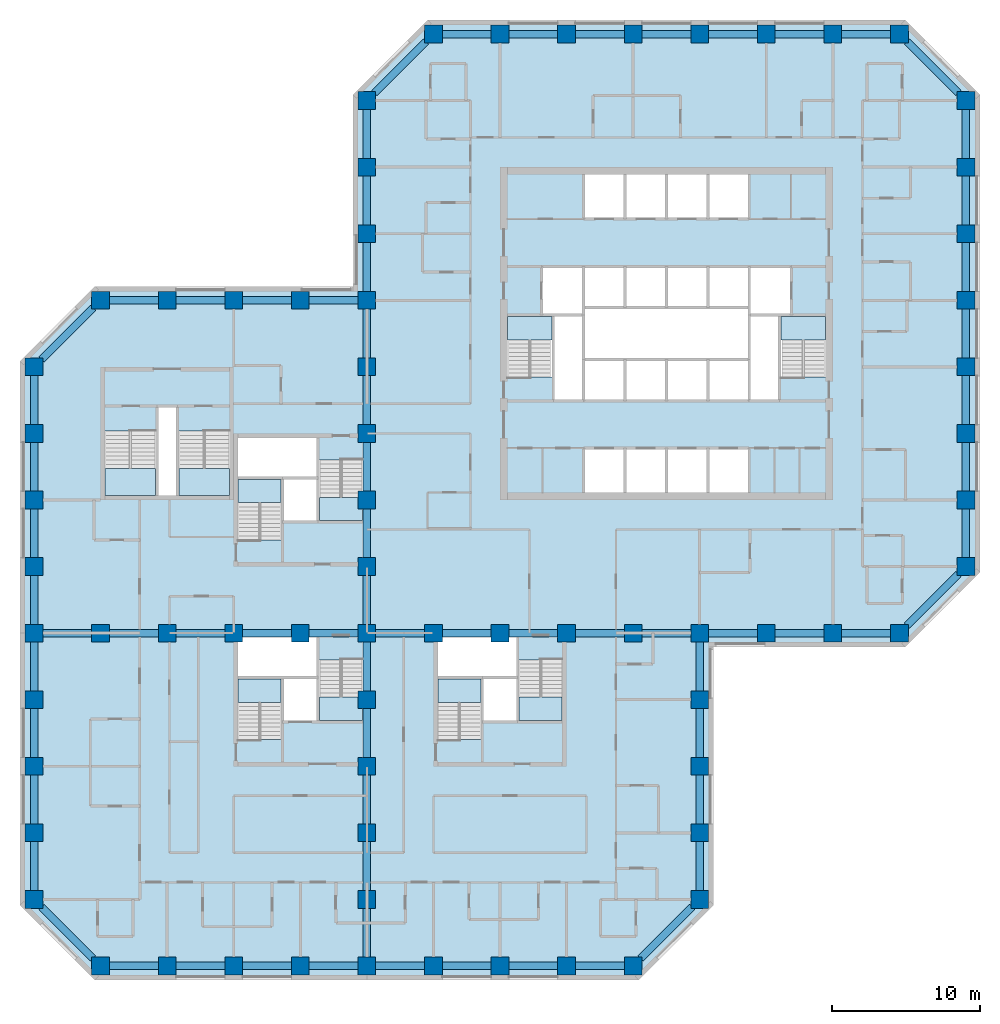
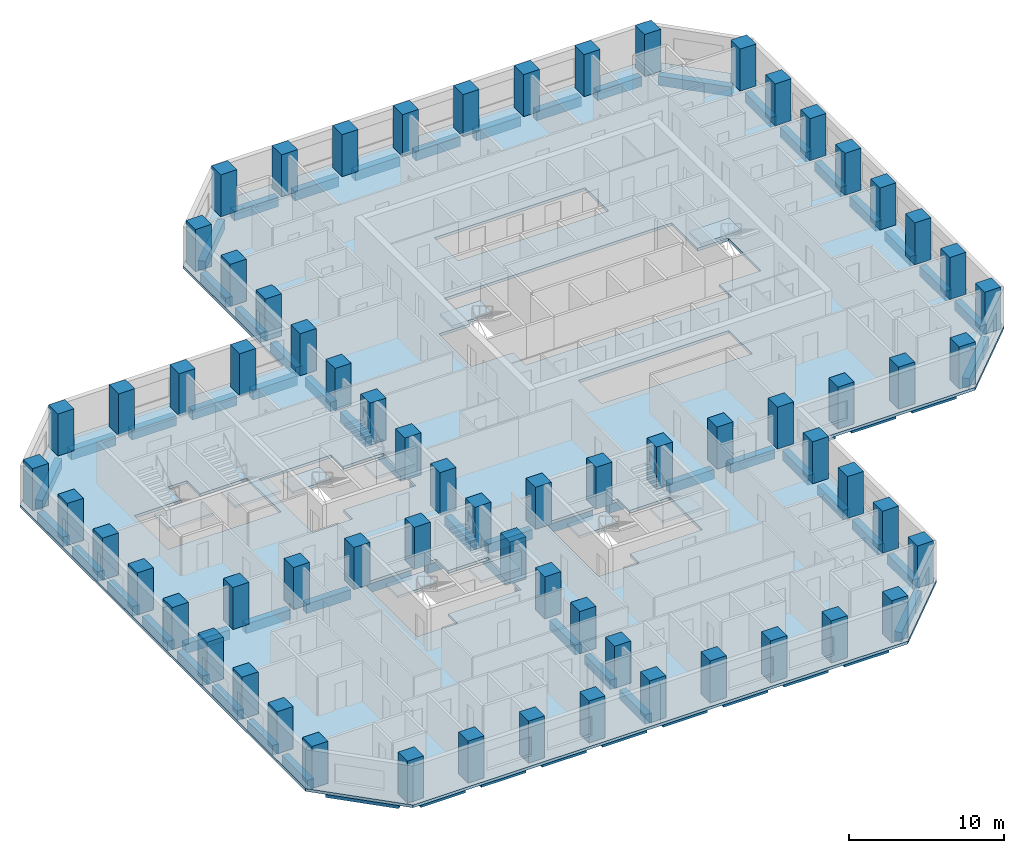
# One storey, part 1 of 12: 70 beams, 67 columns, 11 slabs, 10 elements without a shape of their own.
"""IFC4 building model written with IfcOpenShell, lengths in metres."""

from ifc_helpers import new_model, si_unit, direction, frame, origin, origin_2d, place, context, subcontext, project, spatial, polyline, rectangle, outline, extrude, material, layer, layer_set, material_profile, profile_set, type_object, element, aggregate, save


model = new_model("IFC4")

# Units and contexts
model_context = context("Model", 3, precision=1e-05, world=origin(), true_north=direction((0.0, 1.0)))
body_context = subcontext(model_context, "Body", "Model", "MODEL_VIEW")
ifc_project = project(units=[si_unit("LENGTHUNIT", "METRE"), si_unit("AREAUNIT", "SQUARE_METRE"), si_unit("VOLUMEUNIT", "CUBIC_METRE"), si_unit("PLANEANGLEUNIT", "RADIAN"), si_unit("MASSUNIT", "GRAM", prefix="KILO")], contexts=[model_context])

# Site, building, storey
site_placement = place(None, origin())
site = spatial("IfcSite", under=ifc_project, at=site_placement, CompositionType="ELEMENT")
building_placement = place(site_placement, origin())
building = spatial("IfcBuilding", under=site, at=building_placement, Name="Quoin Convention Tower", CompositionType="ELEMENT")
storey_placement = place(building_placement, frame((0.0, 0.0, 29.699951171875)))
storey = spatial("IfcBuildingStorey", under=building, at=storey_placement, Name="L06", CompositionType="ELEMENT", Elevation=29.699951171875)

# Columns
ifc_material_1 = material(Name="Concrete C80", Category="concrete")
ifc_material_profile_1 = material_profile(ifc_material_1, rectangle(XDim=1.199951171875, YDim=1.199951171875, at=origin_2d()), Name="RC 1200x1200")
ifc_profile_set_1 = profile_set([ifc_material_profile_1], Name="Concrete C80")
column_type = type_object("IfcColumnType", Name="RC 1200x1200 C80", PredefinedType="COLUMN", material=ifc_profile_set_1)
for number, where, z_axis, x_axis, name in (
    (1, (18.0, 18.0, 0.0), (0.0, 0.0, 1.0), (1.0, 0.0, 0.0), "col-L06-18000_18000"),
    (2, (22.5, 18.0, 0.0), (0.0, 0.0, 1.0), (1.0, 0.0, 0.0), "col-L06-22500_18000"),
    (3, (27.0, 18.0, 0.0), (0.0, 0.0, 1.0), (1.0, 0.0, 0.0), "col-L06-27000_18000"),
    (4, (31.5, 18.0, 0.0), (0.0, 0.0, 1.0), (1.0, 0.0, 0.0), "col-L06-31500_18000"),
    (5, (36.0, 18.0, 0.0), (0.0, 0.0, 1.0), (1.0, 0.0, 0.0), "col-L06-36000_18000"),
    (6, (40.5, 18.0, 0.0), (0.0, 0.0, 1.0), (1.0, 0.0, 0.0), "col-L06-40500_18000"),
    (7, (45.0, 18.0, 0.0), (0.0, 0.0, 1.0), (1.0, 0.0, 0.0), "col-L06-45000_18000"),
    (8, (49.5, 18.0, 0.0), (0.0, 0.0, 1.0), (1.0, 0.0, 0.0), "col-L06-49500_18000"),
    (9, (54.0, 18.0, 0.0), (0.0, 0.0, 1.0), (1.0, 0.0, 0.0), "col-L06-54000_18000"),
    (10, (13.5, 22.5, 0.0), (0.0, 0.0, 1.0), (1.0, 0.0, 0.0), "col-L06-13500_22500"),
    (11, (36.0, 22.5, 0.0), (0.0, 0.0, 1.0), (1.0, 0.0, 0.0), "web-L06-36000_22500"),
    (12, (58.5, 22.5, 0.0), (0.0, 0.0, 1.0), (1.0, 0.0, 0.0), "col-L06-58500_22500"),
    (13, (13.5, 27.0, 0.0), (0.0, 0.0, 1.0), (1.0, 0.0, 0.0), "col-L06-13500_27000"),
    (14, (36.0, 27.0, 0.0), (0.0, 0.0, 1.0), (1.0, 0.0, 0.0), "web-L06-36000_27000"),
    (15, (58.5, 27.0, 0.0), (0.0, 0.0, 1.0), (1.0, 0.0, 0.0), "col-L06-58500_27000"),
    (16, (13.5, 31.5, 0.0), (0.0, 0.0, 1.0), (1.0, 0.0, 0.0), "col-L06-13500_31500"),
    (17, (36.0, 31.5, 0.0), (0.0, 0.0, 1.0), (1.0, 0.0, 0.0), "web-L06-36000_31500"),
    (18, (58.5, 31.5, 0.0), (0.0, 0.0, 1.0), (1.0, 0.0, 0.0), "col-L06-58500_31500"),
    (19, (13.5, 36.0, 0.0), (0.0, 0.0, 1.0), (1.0, 0.0, 0.0), "col-L06-13500_36000"),
    (20, (36.0, 36.0, 0.0), (0.0, 0.0, 1.0), (1.0, 0.0, 0.0), "web-L06-36000_36000"),
    (21, (58.5, 36.0, 0.0), (0.0, 0.0, 1.0), (1.0, 0.0, 0.0), "col-L06-58500_36000"),
    (22, (13.5, 40.5, 0.0), (0.0, 0.0, 1.0), (1.0, 0.0, 0.0), "col-L06-13500_40500"),
    (23, (18.0, 40.5, 0.0), (0.0, 0.0, 1.0), (1.0, 0.0, 0.0), "web-L06-18000_40500"),
    (24, (22.5, 40.5, 0.0), (0.0, 0.0, 1.0), (1.0, 0.0, 0.0), "web-L06-22500_40500"),
    (25, (27.0, 40.5, 0.0), (0.0, 0.0, 1.0), (1.0, 0.0, 0.0), "web-L06-27000_40500"),
    (26, (31.5, 40.5, 0.0), (0.0, 0.0, 1.0), (1.0, 0.0, 0.0), "web-L06-31500_40500"),
    (27, (36.0, 40.5, 0.0), (0.0, 0.0, 1.0), (1.0, 0.0, 0.0), "web-L06-36000_40500"),
    (28, (40.5, 40.5, 0.0), (0.0, 0.0, 1.0), (1.0, 0.0, 0.0), "web-L06-40500_40500"),
    (29, (45.0, 40.5, 0.0), (0.0, 0.0, 1.0), (1.0, 0.0, 0.0), "web-L06-45000_40500"),
    (30, (49.5, 40.5, 0.0), (0.0, 0.0, 1.0), (1.0, 0.0, 0.0), "web-L06-49500_40500"),
    (31, (54.0, 40.5, 0.0), (0.0, 0.0, 1.0), (1.0, 0.0, 0.0), "web-L06-54000_40500"),
    (32, (58.5, 40.5, 0.0), (0.0, 0.0, 1.0), (1.0, 0.0, 0.0), "col-L06-58500_40500"),
    (33, (63.0, 40.5, 0.0), (0.0, 0.0, 1.0), (1.0, 0.0, 0.0), "col-L06-63000_40500"),
    (34, (67.5, 40.5, 0.0), (0.0, 0.0, 1.0), (1.0, 0.0, 0.0), "col-L06-67500_40500"),
    (35, (72.0, 40.5, 0.0), (0.0, 0.0, 1.0), (1.0, 0.0, 0.0), "col-L06-72000_40500"),
    (36, (13.5, 45.0, 0.0), (0.0, 0.0, 1.0), (1.0, 0.0, 0.0), "col-L06-13500_45000"),
    (37, (36.0, 45.0, 0.0), (0.0, 0.0, 1.0), (1.0, 0.0, 0.0), "web-L06-36000_45000"),
    (38, (76.5, 45.0, 0.0), (0.0, 0.0, 1.0), (1.0, 0.0, 0.0), "col-L06-76500_45000"),
    (39, (13.5, 49.5, 0.0), (0.0, 0.0, 1.0), (1.0, 0.0, 0.0), "col-L06-13500_49500"),
    (40, (36.0, 49.5, 0.0), (0.0, 0.0, 1.0), (1.0, 0.0, 0.0), "web-L06-36000_49500"),
    (41, (76.5, 49.5, 0.0), (0.0, 0.0, 1.0), (1.0, 0.0, 0.0), "col-L06-76500_49500"),
    (42, (13.5, 54.0, 0.0), (0.0, 0.0, 1.0), (1.0, 0.0, 0.0), "col-L06-13500_54000"),
    (43, (36.0, 54.0, 0.0), (0.0, 0.0, 1.0), (1.0, 0.0, 0.0), "web-L06-36000_54000"),
    (44, (76.5, 54.0, 0.0), (0.0, 0.0, 1.0), (1.0, 0.0, 0.0), "col-L06-76500_54000"),
    (45, (13.5, 58.5, 0.0), (0.0, 0.0, 1.0), (1.0, 0.0, 0.0), "col-L06-13500_58500"),
    (46, (36.0, 58.5, 0.0), (0.0, 0.0, 1.0), (1.0, 0.0, 0.0), "web-L06-36000_58500"),
    (47, (76.5, 58.5, 0.0), (0.0, 0.0, 1.0), (1.0, 0.0, 0.0), "col-L06-76500_58500"),
    (48, (18.0, 63.0, 0.0), (0.0, 0.0, 1.0), (1.0, 0.0, 0.0), "col-L06-18000_63000"),
    (49, (22.5, 63.0, 0.0), (0.0, 0.0, 1.0), (1.0, 0.0, 0.0), "col-L06-22500_63000"),
    (50, (27.0, 63.0, 0.0), (0.0, 0.0, 1.0), (1.0, 0.0, 0.0), "col-L06-27000_63000"),
    (51, (31.5, 63.0, 0.0), (0.0, 0.0, 1.0), (1.0, 0.0, 0.0), "col-L06-31500_63000"),
    (52, (36.0, 63.0, 0.0), (0.0, 0.0, 1.0), (1.0, 0.0, 0.0), "col-L06-36000_63000"),
    (53, (76.5, 63.0, 0.0), (0.0, 0.0, 1.0), (1.0, 0.0, 0.0), "col-L06-76500_63000"),
    (54, (36.0, 67.5, 0.0), (0.0, 0.0, 1.0), (1.0, 0.0, 0.0), "col-L06-36000_67500"),
    (55, (76.5, 67.5, 0.0), (0.0, 0.0, 1.0), (1.0, 0.0, 0.0), "col-L06-76500_67500"),
    (56, (36.0, 72.0, 0.0), (0.0, 0.0, 1.0), (1.0, 0.0, 0.0), "col-L06-36000_72000"),
    (57, (76.5, 72.0, 0.0), (0.0, 0.0, 1.0), (1.0, 0.0, 0.0), "col-L06-76500_72000"),
    (58, (36.0, 76.5, 0.0), (0.0, 0.0, 1.0), (1.0, 0.0, 0.0), "col-L06-36000_76500"),
    (59, (76.5, 76.5, 0.0), (0.0, 0.0, 1.0), (1.0, 0.0, 0.0), "col-L06-76500_76500"),
    (60, (40.5, 81.0, 0.0), (0.0, 0.0, 1.0), (1.0, 0.0, 0.0), "col-L06-40500_81000"),
    (61, (45.0, 81.0, 0.0), (0.0, 0.0, 1.0), (1.0, 0.0, 0.0), "col-L06-45000_81000"),
    (62, (49.5, 81.0, 0.0), (0.0, 0.0, 1.0), (1.0, 0.0, 0.0), "col-L06-49500_81000"),
    (63, (54.0, 81.0, 0.0), (0.0, 0.0, 1.0), (1.0, 0.0, 0.0), "col-L06-54000_81000"),
    (64, (58.5, 81.0, 0.0), (0.0, 0.0, 1.0), (1.0, 0.0, 0.0), "col-L06-58500_81000"),
    (65, (63.0, 81.0, 0.0), (0.0, 0.0, 1.0), (1.0, 0.0, 0.0), "col-L06-63000_81000"),
    (66, (67.5, 81.0, 0.0), (0.0, 0.0, 1.0), (1.0, 0.0, 0.0), "col-L06-67500_81000"),
    (67, (72.0, 81.0, 0.0), (0.0, 0.0, 1.0), (1.0, 0.0, 0.0), "col-L06-72000_81000"),
):
    element("IfcColumn", number, at=place(storey_placement, frame(where, z_axis=z_axis, x_axis=x_axis)), inside=storey, type_object=column_type, Name=name, PredefinedType="COLUMN", context=body_context, shape_type="SweptSolid", body=[
        extrude(rectangle(XDim=1.199951171875, YDim=1.199951171875, at=origin_2d()), origin(), (0.0, 0.0, 1.0), 3.300048828125),
    ])

# Beams
ifc_material_profile_2 = material_profile(ifc_material_1, rectangle(XDim=0.5, YDim=0.75, at=origin_2d()), Name="RC 500x750")
ifc_profile_set_2 = profile_set([ifc_material_profile_2], Name="Concrete C80")
beam_type = type_object("IfcBeamType", Name="RC 500x750 C80", PredefinedType="SPANDREL", material=ifc_profile_set_2)
beam_1_placement = place(storey_placement, frame((14.01513671875, 21.98486328125, -0.594970703125), z_axis=(0.707106781187, -0.707106781187, 0.0), x_axis=(0.707106781187, 0.707106781187, 0.0)))
element("IfcBeam", 68, at=beam_1_placement, inside=storey, type_object=beam_type, Name="spd-L06-13500_22500-18000_18000", PredefinedType="SPANDREL", context=body_context, shape_type="SweptSolid", body=[
    extrude(rectangle(XDim=0.5, YDim=0.75, at=origin_2d()), origin(), (0.0, 0.0, 1.0), 4.906982421875),
])
for number, where, z_axis, x_axis, name in (
    (69, (18.60009765625, 18.0, -0.594970703125), (1.0, 0.0, 0.0), (0.0, 1.0, 0.0), "spd-L06-18000_18000-22500_18000"),
    (70, (23.10009765625, 18.0, -0.594970703125), (1.0, 0.0, 0.0), (0.0, 1.0, 0.0), "spd-L06-22500_18000-27000_18000"),
    (71, (27.60009765625, 18.0, -0.594970703125), (1.0, 0.0, 0.0), (0.0, 1.0, 0.0), "spd-L06-27000_18000-31500_18000"),
    (72, (32.10009765625, 18.0, -0.594970703125), (1.0, 0.0, 0.0), (0.0, 1.0, 0.0), "spd-L06-31500_18000-36000_18000"),
    (73, (36.60009765625, 18.0, -0.594970703125), (1.0, 0.0, 0.0), (0.0, 1.0, 0.0), "spd-L06-36000_18000-40500_18000"),
    (74, (41.10009765625, 18.0, -0.594970703125), (1.0, 0.0, 0.0), (0.0, 1.0, 0.0), "spd-L06-40500_18000-45000_18000"),
    (75, (45.60009765625, 18.0, -0.594970703125), (1.0, 0.0, 0.0), (0.0, 1.0, 0.0), "spd-L06-45000_18000-49500_18000"),
    (76, (50.10009765625, 18.0, -0.594970703125), (1.0, 0.0, 0.0), (0.0, 1.0, 0.0), "spd-L06-49500_18000-54000_18000"),
):
    element("IfcBeam", number, at=place(storey_placement, frame(where, z_axis=z_axis, x_axis=x_axis)), inside=storey, type_object=beam_type, Name=name, PredefinedType="SPANDREL", context=body_context, shape_type="SweptSolid", body=[
        extrude(rectangle(XDim=0.5, YDim=0.75, at=origin_2d()), origin(), (0.0, 0.0, 1.0), 3.2998046875),
    ])
beam_2_placement = place(storey_placement, frame((54.51513671875, 18.51513671875, -0.594970703125), z_axis=(0.707106781187, 0.707106781187, 0.0), x_axis=(-0.707106781187, 0.707106781187, 0.0)))
element("IfcBeam", 77, at=beam_2_placement, inside=storey, type_object=beam_type, Name="spd-L06-54000_18000-58500_22500", PredefinedType="SPANDREL", context=body_context, shape_type="SweptSolid", body=[
    extrude(rectangle(XDim=0.5, YDim=0.75, at=origin_2d()), origin(), (0.0, 0.0, 1.0), 4.906982421875),
])
for number, where, z_axis, x_axis, name in (
    (78, (58.5, 23.10009765625, -0.594970703125), (0.0, 1.0, 0.0), (-1.0, 0.0, 0.0), "spd-L06-58500_22500-58500_27000"),
    (79, (58.5, 27.60009765625, -0.594970703125), (0.0, 1.0, 0.0), (-1.0, 0.0, 0.0), "spd-L06-58500_27000-58500_31500"),
    (80, (58.5, 32.10009765625, -0.594970703125), (0.0, 1.0, 0.0), (-1.0, 0.0, 0.0), "spd-L06-58500_31500-58500_36000"),
    (81, (58.5, 36.60009765625, -0.594970703125), (0.0, 1.0, 0.0), (-1.0, 0.0, 0.0), "spd-L06-58500_36000-58500_40500"),
    (82, (59.10009765625, 40.5, -0.594970703125), (1.0, 0.0, 0.0), (0.0, 1.0, 0.0), "spd-L06-58500_40500-63000_40500"),
    (83, (63.60009765625, 40.5, -0.594970703125), (1.0, 0.0, 0.0), (0.0, 1.0, 0.0), "spd-L06-63000_40500-67500_40500"),
    (84, (68.10009765625, 40.5, -0.594970703125), (1.0, 0.0, 0.0), (0.0, 1.0, 0.0), "spd-L06-67500_40500-72000_40500"),
):
    element("IfcBeam", number, at=place(storey_placement, frame(where, z_axis=z_axis, x_axis=x_axis)), inside=storey, type_object=beam_type, Name=name, PredefinedType="SPANDREL", context=body_context, shape_type="SweptSolid", body=[
        extrude(rectangle(XDim=0.5, YDim=0.75, at=origin_2d()), origin(), (0.0, 0.0, 1.0), 3.2998046875),
    ])
beam_3_placement = place(storey_placement, frame((72.51513671875, 41.01513671875, -0.594970703125), z_axis=(0.707106781187, 0.707106781187, 0.0), x_axis=(-0.707106781187, 0.707106781187, 0.0)))
element("IfcBeam", 85, at=beam_3_placement, inside=storey, type_object=beam_type, Name="spd-L06-72000_40500-76500_45000", PredefinedType="SPANDREL", context=body_context, shape_type="SweptSolid", body=[
    extrude(rectangle(XDim=0.5, YDim=0.75, at=origin_2d()), origin(), (0.0, 0.0, 1.0), 4.906982421875),
])
for number, where, z_axis, x_axis, name in (
    (86, (76.5, 45.60009765625, -0.594970703125), (0.0, 1.0, 0.0), (-1.0, 0.0, 0.0), "spd-L06-76500_45000-76500_49500"),
    (87, (76.5, 50.10009765625, -0.594970703125), (0.0, 1.0, 0.0), (-1.0, 0.0, 0.0), "spd-L06-76500_49500-76500_54000"),
    (88, (76.5, 54.60009765625, -0.594970703125), (0.0, 1.0, 0.0), (-1.0, 0.0, 0.0), "spd-L06-76500_54000-76500_58500"),
    (89, (76.5, 59.10009765625, -0.594970703125), (0.0, 1.0, 0.0), (-1.0, 0.0, 0.0), "spd-L06-76500_58500-76500_63000"),
    (90, (76.5, 63.60009765625, -0.594970703125), (0.0, 1.0, 0.0), (-1.0, 0.0, 0.0), "spd-L06-76500_63000-76500_67500"),
    (91, (76.5, 68.10009765625, -0.594970703125), (0.0, 1.0, 0.0), (-1.0, 0.0, 0.0), "spd-L06-76500_67500-76500_72000"),
    (92, (76.5, 72.60009765625, -0.594970703125), (0.0, 1.0, 0.0), (-1.0, 0.0, 0.0), "spd-L06-76500_72000-76500_76500"),
):
    element("IfcBeam", number, at=place(storey_placement, frame(where, z_axis=z_axis, x_axis=x_axis)), inside=storey, type_object=beam_type, Name=name, PredefinedType="SPANDREL", context=body_context, shape_type="SweptSolid", body=[
        extrude(rectangle(XDim=0.5, YDim=0.75, at=origin_2d()), origin(), (0.0, 0.0, 1.0), 3.2998046875),
    ])
beam_4_placement = place(storey_placement, frame((75.98486328125, 77.01513671875, -0.594970703125), z_axis=(-0.707106781187, 0.707106781187, 0.0), x_axis=(-0.707106781187, -0.707106781187, 0.0)))
element("IfcBeam", 93, at=beam_4_placement, inside=storey, type_object=beam_type, Name="spd-L06-76500_76500-72000_81000", PredefinedType="SPANDREL", context=body_context, shape_type="SweptSolid", body=[
    extrude(rectangle(XDim=0.5, YDim=0.75, at=origin_2d()), origin(), (0.0, 0.0, 1.0), 4.906982421875),
])
for number, where, z_axis, x_axis, name in (
    (94, (71.39990234375, 81.0, -0.594970703125), (-1.0, 0.0, 0.0), (0.0, -1.0, 0.0), "spd-L06-72000_81000-67500_81000"),
    (95, (66.89990234375, 81.0, -0.594970703125), (-1.0, 0.0, 0.0), (0.0, -1.0, 0.0), "spd-L06-67500_81000-63000_81000"),
    (96, (62.39990234375, 81.0, -0.594970703125), (-1.0, 0.0, 0.0), (0.0, -1.0, 0.0), "spd-L06-63000_81000-58500_81000"),
    (97, (57.89990234375, 81.0, -0.594970703125), (-1.0, 0.0, 0.0), (0.0, -1.0, 0.0), "spd-L06-58500_81000-54000_81000"),
    (98, (53.39990234375, 81.0, -0.594970703125), (-1.0, 0.0, 0.0), (0.0, -1.0, 0.0), "spd-L06-54000_81000-49500_81000"),
    (99, (48.89990234375, 81.0, -0.594970703125), (-1.0, 0.0, 0.0), (0.0, -1.0, 0.0), "spd-L06-49500_81000-45000_81000"),
    (100, (44.39990234375, 81.0, -0.594970703125), (-1.0, 0.0, 0.0), (0.0, -1.0, 0.0), "spd-L06-45000_81000-40500_81000"),
):
    element("IfcBeam", number, at=place(storey_placement, frame(where, z_axis=z_axis, x_axis=x_axis)), inside=storey, type_object=beam_type, Name=name, PredefinedType="SPANDREL", context=body_context, shape_type="SweptSolid", body=[
        extrude(rectangle(XDim=0.5, YDim=0.75, at=origin_2d()), origin(), (0.0, 0.0, 1.0), 3.2998046875),
    ])
beam_5_placement = place(storey_placement, frame((39.98486328125, 80.48486328125, -0.594970703125), z_axis=(-0.707106781187, -0.707106781187, 0.0), x_axis=(0.707106781187, -0.707106781187, 0.0)))
element("IfcBeam", 101, at=beam_5_placement, inside=storey, type_object=beam_type, Name="spd-L06-40500_81000-36000_76500", PredefinedType="SPANDREL", context=body_context, shape_type="SweptSolid", body=[
    extrude(rectangle(XDim=0.5, YDim=0.75, at=origin_2d()), origin(), (0.0, 0.0, 1.0), 4.906982421875),
])
for number, where, z_axis, x_axis, name in (
    (102, (36.0, 75.89990234375, -0.594970703125), (0.0, -1.0, 0.0), (1.0, 0.0, 0.0), "spd-L06-36000_76500-36000_72000"),
    (103, (36.0, 71.39990234375, -0.594970703125), (0.0, -1.0, 0.0), (1.0, 0.0, 0.0), "spd-L06-36000_72000-36000_67500"),
    (104, (36.0, 66.89990234375, -0.594970703125), (0.0, -1.0, 0.0), (1.0, 0.0, 0.0), "spd-L06-36000_67500-36000_63000"),
    (105, (35.39990234375, 63.0, -0.594970703125), (-1.0, 0.0, 0.0), (0.0, -1.0, 0.0), "spd-L06-36000_63000-31500_63000"),
    (106, (30.89990234375, 63.0, -0.594970703125), (-1.0, 0.0, 0.0), (0.0, -1.0, 0.0), "spd-L06-31500_63000-27000_63000"),
    (107, (26.39990234375, 63.0, -0.594970703125), (-1.0, 0.0, 0.0), (0.0, -1.0, 0.0), "spd-L06-27000_63000-22500_63000"),
    (108, (21.89990234375, 63.0, -0.594970703125), (-1.0, 0.0, 0.0), (0.0, -1.0, 0.0), "spd-L06-22500_63000-18000_63000"),
):
    element("IfcBeam", number, at=place(storey_placement, frame(where, z_axis=z_axis, x_axis=x_axis)), inside=storey, type_object=beam_type, Name=name, PredefinedType="SPANDREL", context=body_context, shape_type="SweptSolid", body=[
        extrude(rectangle(XDim=0.5, YDim=0.75, at=origin_2d()), origin(), (0.0, 0.0, 1.0), 3.2998046875),
    ])
beam_6_placement = place(storey_placement, frame((17.48486328125, 62.48486328125, -0.594970703125), z_axis=(-0.707106781187, -0.707106781187, 0.0), x_axis=(0.707106781187, -0.707106781187, 0.0)))
element("IfcBeam", 109, at=beam_6_placement, inside=storey, type_object=beam_type, Name="spd-L06-18000_63000-13500_58500", PredefinedType="SPANDREL", context=body_context, shape_type="SweptSolid", body=[
    extrude(rectangle(XDim=0.5, YDim=0.75, at=origin_2d()), origin(), (0.0, 0.0, 1.0), 4.906982421875),
])
for number, where, z_axis, x_axis, name in (
    (110, (13.5, 57.89990234375, -0.594970703125), (0.0, -1.0, 0.0), (1.0, 0.0, 0.0), "spd-L06-13500_58500-13500_54000"),
    (111, (13.5, 53.39990234375, -0.594970703125), (0.0, -1.0, 0.0), (1.0, 0.0, 0.0), "spd-L06-13500_54000-13500_49500"),
    (112, (13.5, 48.89990234375, -0.594970703125), (0.0, -1.0, 0.0), (1.0, 0.0, 0.0), "spd-L06-13500_49500-13500_45000"),
    (113, (13.5, 44.39990234375, -0.594970703125), (0.0, -1.0, 0.0), (1.0, 0.0, 0.0), "spd-L06-13500_45000-13500_40500"),
    (114, (13.5, 39.89990234375, -0.594970703125), (0.0, -1.0, 0.0), (1.0, 0.0, 0.0), "spd-L06-13500_40500-13500_36000"),
    (115, (13.5, 35.39990234375, -0.594970703125), (0.0, -1.0, 0.0), (1.0, 0.0, 0.0), "spd-L06-13500_36000-13500_31500"),
    (116, (13.5, 30.89990234375, -0.594970703125), (0.0, -1.0, 0.0), (1.0, 0.0, 0.0), "spd-L06-13500_31500-13500_27000"),
    (117, (13.5, 26.39990234375, -0.594970703125), (0.0, -1.0, 0.0), (1.0, 0.0, 0.0), "spd-L06-13500_27000-13500_22500"),
    (118, (14.10009765625, 40.5, -0.594970703125), (1.0, 0.0, 0.0), (0.0, 1.0, 0.0), "spd-L06-13500_40500-18000_40500"),
    (119, (18.60009765625, 40.5, -0.594970703125), (1.0, 0.0, 0.0), (0.0, 1.0, 0.0), "spd-L06-18000_40500-22500_40500"),
    (120, (23.10009765625, 40.5, -0.594970703125), (1.0, 0.0, 0.0), (0.0, 1.0, 0.0), "spd-L06-22500_40500-27000_40500"),
    (121, (27.60009765625, 40.5, -0.594970703125), (1.0, 0.0, 0.0), (0.0, 1.0, 0.0), "spd-L06-27000_40500-31500_40500"),
    (122, (32.10009765625, 40.5, -0.594970703125), (1.0, 0.0, 0.0), (0.0, 1.0, 0.0), "spd-L06-31500_40500-36000_40500"),
    (123, (36.60009765625, 40.5, -0.594970703125), (1.0, 0.0, 0.0), (0.0, 1.0, 0.0), "spd-L06-36000_40500-40500_40500"),
    (124, (41.10009765625, 40.5, -0.594970703125), (1.0, 0.0, 0.0), (0.0, 1.0, 0.0), "spd-L06-40500_40500-45000_40500"),
    (125, (45.60009765625, 40.5, -0.594970703125), (1.0, 0.0, 0.0), (0.0, 1.0, 0.0), "spd-L06-45000_40500-49500_40500"),
    (126, (50.10009765625, 40.5, -0.594970703125), (1.0, 0.0, 0.0), (0.0, 1.0, 0.0), "spd-L06-49500_40500-54000_40500"),
    (127, (54.60009765625, 40.5, -0.594970703125), (1.0, 0.0, 0.0), (0.0, 1.0, 0.0), "spd-L06-54000_40500-58500_40500"),
    (128, (36.0, 18.60009765625, -0.594970703125), (0.0, 1.0, 0.0), (-1.0, 0.0, 0.0), "spd-L06-36000_18000-36000_22500"),
    (129, (36.0, 23.10009765625, -0.594970703125), (0.0, 1.0, 0.0), (-1.0, 0.0, 0.0), "spd-L06-36000_22500-36000_27000"),
    (130, (36.0, 27.60009765625, -0.594970703125), (0.0, 1.0, 0.0), (-1.0, 0.0, 0.0), "spd-L06-36000_27000-36000_31500"),
    (131, (36.0, 32.10009765625, -0.594970703125), (0.0, 1.0, 0.0), (-1.0, 0.0, 0.0), "spd-L06-36000_31500-36000_36000"),
    (132, (36.0, 36.60009765625, -0.594970703125), (0.0, 1.0, 0.0), (-1.0, 0.0, 0.0), "spd-L06-36000_36000-36000_40500"),
    (133, (36.0, 41.10009765625, -0.594970703125), (0.0, 1.0, 0.0), (-1.0, 0.0, 0.0), "spd-L06-36000_40500-36000_45000"),
    (134, (36.0, 45.60009765625, -0.594970703125), (0.0, 1.0, 0.0), (-1.0, 0.0, 0.0), "spd-L06-36000_45000-36000_49500"),
    (135, (36.0, 50.10009765625, -0.594970703125), (0.0, 1.0, 0.0), (-1.0, 0.0, 0.0), "spd-L06-36000_49500-36000_54000"),
    (136, (36.0, 54.60009765625, -0.594970703125), (0.0, 1.0, 0.0), (-1.0, 0.0, 0.0), "spd-L06-36000_54000-36000_58500"),
    (137, (36.0, 59.10009765625, -0.594970703125), (0.0, 1.0, 0.0), (-1.0, 0.0, 0.0), "spd-L06-36000_58500-36000_63000"),
):
    element("IfcBeam", number, at=place(storey_placement, frame(where, z_axis=z_axis, x_axis=x_axis)), inside=storey, type_object=beam_type, Name=name, PredefinedType="SPANDREL", context=body_context, shape_type="SweptSolid", body=[
        extrude(rectangle(XDim=0.5, YDim=0.75, at=origin_2d()), origin(), (0.0, 0.0, 1.0), 3.2998046875),
    ])

# Slab
ifc_material_2 = material(Name="Concrete C50", Category="concrete")
ifc_layer_1 = layer(ifc_material_2, 0.219970703125)
ifc_layer_set_1 = layer_set([ifc_layer_1], Name="Concrete C50")
slab_type_1 = type_object("IfcSlabType", Name="RC SLAB 220 C50", PredefinedType="FLOOR", material=ifc_layer_set_1)
slab_1_placement = place(storey_placement, frame((0.0, 0.0, -0.219970703125)))
element("IfcSlab", 138, at=slab_1_placement, inside=storey, type_object=slab_type_1, Name="slb-L06", PredefinedType="FLOOR", context=body_context, shape_type="SweptSolid", body=[
    extrude(outline(polyline([(12.550048828125, 58.8935546875), (17.6064453125, 63.949951171875), (35.050048828125, 63.949951171875), (35.050048828125, 76.8935546875), (40.1064453125, 81.949951171875), (72.3935546875, 81.949951171875), (77.449951171875, 76.8935546875), (77.449951171875, 44.6064453125), (72.3935546875, 39.550048828125), (59.449951171875, 39.550048828125), (59.449951171875, 22.1064453125), (54.3935546875, 17.050048828125), (17.6064453125, 17.050048828125), (12.550048828125, 22.1064453125), (12.550048828125, 58.8935546875)]), holes=[polyline([(30.300048828125, 33.300537109375), (30.300048828125, 34.5), (32.699951171875, 34.5), (35.699951171875, 34.5), (35.699951171875, 38.699462890625), (32.699951171875, 38.699462890625), (32.699951171875, 40.199951171875), (27.300048828125, 40.199951171875), (27.300048828125, 37.5), (27.300048828125, 33.300537109375), (30.300048828125, 33.300537109375)]), polyline([(43.800048828125, 33.300537109375), (43.800048828125, 34.5), (46.199951171875, 34.5), (49.199951171875, 34.5), (49.199951171875, 38.699462890625), (46.199951171875, 38.699462890625), (46.199951171875, 40.199951171875), (40.800048828125, 40.199951171875), (40.800048828125, 37.5), (40.800048828125, 33.300537109375), (43.800048828125, 33.300537109375)]), polyline([(27.300048828125, 46.800537109375), (30.300048828125, 46.800537109375), (30.300048828125, 48.0), (32.699951171875, 48.0), (35.699951171875, 48.0), (35.699951171875, 52.199462890625), (32.699951171875, 52.199462890625), (32.699951171875, 53.699951171875), (27.300048828125, 53.699951171875), (27.300048828125, 51.0), (27.300048828125, 46.800537109375)]), polyline([(53.449951171875, 50.0), (56.25, 50.0), (59.050048828125, 50.0), (61.85009765625, 50.0), (61.85009765625, 53.0), (59.050048828125, 53.0), (56.25, 53.0), (53.449951171875, 53.0), (50.64990234375, 53.0), (50.64990234375, 50.0), (53.449951171875, 50.0)]), polyline([(23.199951171875, 49.800048828125), (26.699951171875, 49.800048828125), (26.699951171875, 54.1494140625), (23.199951171875, 54.1494140625), (23.199951171875, 55.85009765625), (21.800048828125, 55.85009765625), (21.800048828125, 54.1494140625), (18.300048828125, 54.1494140625), (18.300048828125, 49.800048828125), (21.800048828125, 49.800048828125), (23.199951171875, 49.800048828125)]), polyline([(45.5, 57.800537109375), (48.60009765625, 57.800537109375), (48.60009765625, 56.199951171875), (50.64990234375, 56.199951171875), (53.449951171875, 56.199951171875), (56.25, 56.199951171875), (59.050048828125, 56.199951171875), (61.85009765625, 56.199951171875), (63.89990234375, 56.199951171875), (63.89990234375, 57.800537109375), (67.0, 57.800537109375), (67.0, 62.0), (64.699951171875, 62.0), (64.699951171875, 65.300048828125), (61.85009765625, 65.300048828125), (59.050048828125, 65.300048828125), (56.25, 65.300048828125), (53.449951171875, 65.300048828125), (50.64990234375, 65.300048828125), (47.800048828125, 65.300048828125), (47.800048828125, 62.0), (45.5, 62.0), (45.5, 57.800537109375)]), polyline([(59.050048828125, 68.5), (61.85009765625, 68.5), (61.85009765625, 71.5), (59.050048828125, 71.5), (56.25, 71.5), (53.449951171875, 71.5), (50.64990234375, 71.5), (50.64990234375, 68.5), (53.449951171875, 68.5), (56.25, 68.5), (59.050048828125, 68.5)])]), origin(), (0.0, 0.0, 1.0), 0.219970703125),
])

# Stair, slab
ifc_material_3 = material(Name="Concrete C40", Category="concrete")
stair_type_1 = type_object("IfcStairType", Name="Exit stair two-flight 1350", PredefinedType="HALF_TURN_STAIR", material=ifc_material_3)
stair_1_placement = place(storey_placement, origin())
stair_1 = element("IfcStair", 139, at=stair_1_placement, inside=storey, type_object=stair_type_1, Name="SD1 L06", PredefinedType="HALF_TURN_STAIR")
ifc_layer_2 = layer(ifc_material_3, 0.199951171875)
ifc_layer_set_2 = layer_set([ifc_layer_2], Name="Concrete C40")
slab_type_2 = type_object("IfcSlabType", Name="Stair landing 200", PredefinedType="LANDING", material=ifc_layer_set_2)
slab_2_placement = place(storey_placement, frame((0.0, 0.0, 1.449951171875)))
slab_2 = element("IfcSlab", 140, at=slab_2_placement, type_object=slab_type_2, Name="ST1 landing 1", PredefinedType="LANDING", context=body_context, shape_type="SweptSolid", body=[
    extrude(outline(polyline([(45.5, 60.320068359375), (48.5, 60.320068359375), (48.5, 61.89990234375), (45.5, 61.89990234375), (45.5, 60.320068359375)])), origin(), (0.0, 0.0, 1.0), 0.2001953125),
])
aggregate(stair_1, [slab_2])

stair_2_placement = place(storey_placement, origin())
stair_2 = element("IfcStair", 141, at=stair_2_placement, inside=storey, type_object=stair_type_1, Name="SD2 L06", PredefinedType="HALF_TURN_STAIR")
slab_3_placement = place(storey_placement, frame((0.0, 0.0, 1.449951171875)))
slab_3 = element("IfcSlab", 142, at=slab_3_placement, type_object=slab_type_2, Name="ST2 landing 1", PredefinedType="LANDING", context=body_context, shape_type="SweptSolid", body=[
    extrude(outline(polyline([(64.0, 60.320068359375), (67.0, 60.320068359375), (67.0, 61.89990234375), (64.0, 61.89990234375), (64.0, 60.320068359375)])), origin(), (0.0, 0.0, 1.0), 0.2001953125),
])
aggregate(stair_2, [slab_3])

stair_3_placement = place(storey_placement, origin())
stair_3 = element("IfcStair", 143, at=stair_3_placement, inside=storey, type_object=stair_type_1, Name="SD3 L06", PredefinedType="HALF_TURN_STAIR")
slab_4_placement = place(storey_placement, frame((0.0, 0.0, 1.449951171875)))
slab_4 = element("IfcSlab", 144, at=slab_4_placement, type_object=slab_type_2, Name="ST3 landing 1", PredefinedType="LANDING", context=body_context, shape_type="SweptSolid", body=[
    extrude(outline(polyline([(27.300048828125, 49.320068359375), (30.199951171875, 49.320068359375), (30.199951171875, 50.89990234375), (27.300048828125, 50.89990234375), (27.300048828125, 49.320068359375)])), origin(), (0.0, 0.0, 1.0), 0.2001953125),
])
aggregate(stair_3, [slab_4])

stair_4_placement = place(storey_placement, origin())
stair_4 = element("IfcStair", 145, at=stair_4_placement, inside=storey, type_object=stair_type_1, Name="SD4 L06", PredefinedType="HALF_TURN_STAIR")
slab_5_placement = place(storey_placement, frame((0.0, 0.0, 1.449951171875)))
slab_5 = element("IfcSlab", 146, at=slab_5_placement, type_object=slab_type_2, Name="ST4 landing 1", PredefinedType="LANDING", context=body_context, shape_type="SweptSolid", body=[
    extrude(outline(polyline([(35.699951171875, 49.679931640625), (32.800048828125, 49.679931640625), (32.800048828125, 48.10009765625), (35.699951171875, 48.10009765625), (35.699951171875, 49.679931640625)])), origin(), (0.0, 0.0, 1.0), 0.2001953125),
])
aggregate(stair_4, [slab_5])

stair_5_placement = place(storey_placement, origin())
stair_5 = element("IfcStair", 147, at=stair_5_placement, inside=storey, type_object=stair_type_1, Name="SD5 L06", PredefinedType="HALF_TURN_STAIR")
slab_6_placement = place(storey_placement, frame((0.0, 0.0, 1.449951171875)))
slab_6 = element("IfcSlab", 148, at=slab_6_placement, type_object=slab_type_2, Name="ST5 landing 1", PredefinedType="LANDING", context=body_context, shape_type="SweptSolid", body=[
    extrude(outline(polyline([(40.800048828125, 35.820068359375), (43.699951171875, 35.820068359375), (43.699951171875, 37.39990234375), (40.800048828125, 37.39990234375), (40.800048828125, 35.820068359375)])), origin(), (0.0, 0.0, 1.0), 0.2001953125),
])
aggregate(stair_5, [slab_6])

stair_6_placement = place(storey_placement, origin())
stair_6 = element("IfcStair", 149, at=stair_6_placement, inside=storey, type_object=stair_type_1, Name="SD6 L06", PredefinedType="HALF_TURN_STAIR")
slab_7_placement = place(storey_placement, frame((0.0, 0.0, 1.449951171875)))
slab_7 = element("IfcSlab", 150, at=slab_7_placement, type_object=slab_type_2, Name="ST6 landing 1", PredefinedType="LANDING", context=body_context, shape_type="SweptSolid", body=[
    extrude(outline(polyline([(49.199951171875, 36.179931640625), (46.300048828125, 36.179931640625), (46.300048828125, 34.60009765625), (49.199951171875, 34.60009765625), (49.199951171875, 36.179931640625)])), origin(), (0.0, 0.0, 1.0), 0.2001953125),
])
aggregate(stair_6, [slab_7])

stair_7_placement = place(storey_placement, origin())
stair_7 = element("IfcStair", 151, at=stair_7_placement, inside=storey, type_object=stair_type_1, Name="SD7 L06", PredefinedType="HALF_TURN_STAIR")
slab_8_placement = place(storey_placement, frame((0.0, 0.0, 1.449951171875)))
slab_8 = element("IfcSlab", 152, at=slab_8_placement, type_object=slab_type_2, Name="ST7 landing 1", PredefinedType="LANDING", context=body_context, shape_type="SweptSolid", body=[
    extrude(outline(polyline([(27.300048828125, 35.820068359375), (30.199951171875, 35.820068359375), (30.199951171875, 37.39990234375), (27.300048828125, 37.39990234375), (27.300048828125, 35.820068359375)])), origin(), (0.0, 0.0, 1.0), 0.2001953125),
])
aggregate(stair_7, [slab_8])

stair_8_placement = place(storey_placement, origin())
stair_8 = element("IfcStair", 153, at=stair_8_placement, inside=storey, type_object=stair_type_1, Name="SD8 L06", PredefinedType="HALF_TURN_STAIR")
slab_9_placement = place(storey_placement, frame((0.0, 0.0, 1.449951171875)))
slab_9 = element("IfcSlab", 154, at=slab_9_placement, type_object=slab_type_2, Name="ST8 landing 1", PredefinedType="LANDING", context=body_context, shape_type="SweptSolid", body=[
    extrude(outline(polyline([(35.699951171875, 36.179931640625), (32.800048828125, 36.179931640625), (32.800048828125, 34.60009765625), (35.699951171875, 34.60009765625), (35.699951171875, 36.179931640625)])), origin(), (0.0, 0.0, 1.0), 0.2001953125),
])
aggregate(stair_8, [slab_9])

stair_type_2 = type_object("IfcStairType", Name="Exit stair two-flight 1600", PredefinedType="HALF_TURN_STAIR", material=ifc_material_3)
stair_9_placement = place(storey_placement, origin())
stair_9 = element("IfcStair", 155, at=stair_9_placement, inside=storey, type_object=stair_type_2, Name="SD11 L06", PredefinedType="HALF_TURN_STAIR")
slab_10_placement = place(storey_placement, frame((0.0, 0.0, 1.449951171875)))
slab_10 = element("IfcSlab", 156, at=slab_10_placement, type_object=slab_type_2, Name="ST11 landing 1", PredefinedType="LANDING", context=body_context, shape_type="SweptSolid", body=[
    extrude(outline(polyline([(21.699951171875, 51.6298828125), (18.300048828125, 51.6298828125), (18.300048828125, 49.800048828125), (21.699951171875, 49.800048828125), (21.699951171875, 51.6298828125)])), origin(), (0.0, 0.0, 1.0), 0.2001953125),
])
aggregate(stair_9, [slab_10])

stair_10_placement = place(storey_placement, origin())
stair_10 = element("IfcStair", 157, at=stair_10_placement, inside=storey, type_object=stair_type_2, Name="SD12 L06", PredefinedType="HALF_TURN_STAIR")
slab_11_placement = place(storey_placement, frame((0.0, 0.0, 1.449951171875)))
slab_11 = element("IfcSlab", 158, at=slab_11_placement, type_object=slab_type_2, Name="ST12 landing 1", PredefinedType="LANDING", context=body_context, shape_type="SweptSolid", body=[
    extrude(outline(polyline([(26.699951171875, 51.6298828125), (23.300048828125, 51.6298828125), (23.300048828125, 49.800048828125), (26.699951171875, 49.800048828125), (26.699951171875, 51.6298828125)])), origin(), (0.0, 0.0, 1.0), 0.2001953125),
])
aggregate(stair_10, [slab_11])

save(model, "model.ifc")
